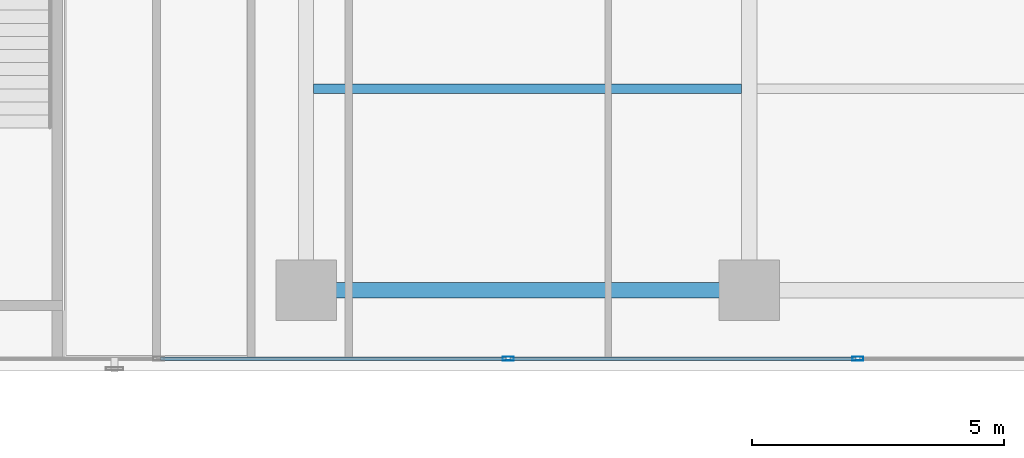
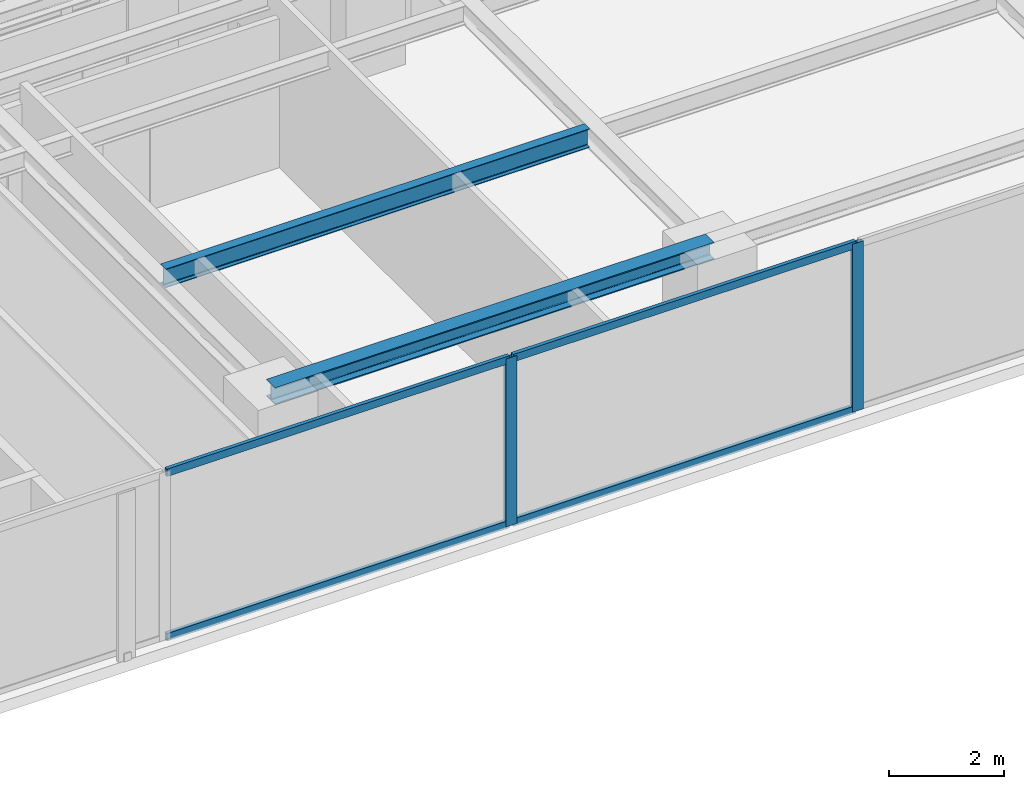
# One storey, part 10 of 24: 6 members, 2 beams, 1 element without a shape of its own.
"""IFC4 building model written with IfcOpenShell, lengths in metres."""

from ifc_helpers import new_model, si_unit, direction, frame, origin, origin_with_axes, origin_2d, place, context, subcontext, project, spatial, hollow_rectangle, i_section, extrude, source, transform, mapped, material, layer, layer_set, material_profile, profile_set, type_object, element, aggregate, save


model = new_model("IFC4")

# Units and contexts
model_context = context("Model", 3, precision=1e-05, world=origin(), true_north=direction((0.0, 1.0)))
body_context = subcontext(model_context, "Body", "Model", "MODEL_VIEW")
ifc_project = project(units=[si_unit("LENGTHUNIT", "METRE"), si_unit("AREAUNIT", "SQUARE_METRE"), si_unit("VOLUMEUNIT", "CUBIC_METRE"), si_unit("PLANEANGLEUNIT", "RADIAN"), si_unit("MASSUNIT", "GRAM", prefix="KILO")], contexts=[model_context])

# Site, building, storey
site_placement = place(None, origin())
site = spatial("IfcSite", under=ifc_project, at=site_placement, CompositionType="ELEMENT")
building_placement = place(site_placement, origin())
building = spatial("IfcBuilding", under=site, at=building_placement, Name="Kolvaren Waterfront Exchange", CompositionType="ELEMENT")
storey_placement = place(building_placement, frame((0.0, 0.0, 184.199951171875)))
storey = spatial("IfcBuildingStorey", under=building, at=storey_placement, Name="L47", CompositionType="ELEMENT", Elevation=184.199951171875)

# Beams
ifc_material_1 = material(Name="Steel S355", Category="steel")
ifc_material_profile_1 = material_profile(ifc_material_1, i_section(OverallWidth=0.300048828125, OverallDepth=0.360107421875, WebThickness=0.012451171875, FlangeThickness=0.0224609375, FilletRadius=0.027099609375, at=origin_2d()), Name="HEB360")
ifc_profile_set_1 = profile_set([ifc_material_profile_1], Name="Steel S355")
beam_type_1 = type_object("IfcBeamType", Name="STR-BM-HEB360", PredefinedType="SPANDREL", material=ifc_profile_set_1)
beam_1_placement = place(storey_placement, frame((36.800048828125, 5.199951171875, 3.380126953125), z_axis=(1.0, 0.0, 0.0), x_axis=(0.0, 1.0, 0.0)))
element("IfcBeam", 1, at=beam_1_placement, inside=storey, type_object=beam_type_1, Name="L47 east-arm spandrel S3", PredefinedType="SPANDREL", context=body_context, shape_type="SweptSolid", body=[
    extrude(i_section(OverallWidth=0.300048828125, OverallDepth=0.360107421875, WebThickness=0.012451171875, FlangeThickness=0.0224609375, FilletRadius=0.027099609375, at=origin_2d()), origin(), (0.0, 0.0, 1.0), 8.800048828125),
])
ifc_material_profile_2 = material_profile(ifc_material_1, i_section(OverallWidth=0.179931640625, OverallDepth=0.39990234375, WebThickness=0.008544921875, FlangeThickness=0.013427734375, FilletRadius=0.02099609375, at=origin_2d()), Name="IPE400")
ifc_profile_set_2 = profile_set([ifc_material_profile_2], Name="Steel S355")
beam_type_2 = type_object("IfcBeamType", Name="STR-BM-IPE400", PredefinedType="JOIST", material=ifc_profile_set_2)
beam_2_placement = place(storey_placement, frame((36.951904296875, 9.199951171875, 3.360107421875), z_axis=(1.0, 0.0, 0.0), x_axis=(0.0, 1.0, 0.0)))
element("IfcBeam", 2, at=beam_2_placement, inside=storey, type_object=beam_type_2, Name="L47 east-arm composite joist 3B", PredefinedType="JOIST", context=body_context, shape_type="SweptSolid", body=[
    extrude(i_section(OverallWidth=0.179931640625, OverallDepth=0.39990234375, WebThickness=0.008544921875, FlangeThickness=0.013427734375, FilletRadius=0.02099609375, at=origin_2d()), origin(), (0.0, 0.0, 1.0), 8.49609375),
])

# Curtain wall, members
ifc_material_2 = material(Name="Anodised bronze aluminium 6063-T6", Category="aluminium")
ifc_layer = layer(ifc_material_2, 0.219970703125, Name="Anodised bronze aluminium 6063-T6")
ifc_layer_set = layer_set([ifc_layer], Name="Anodised bronze aluminium 6063-T6")
curtain_wall_type = type_object("IfcCurtainWallType", Name="ARC-CW-SYS1", PredefinedType="USERDEFINED", material=ifc_layer_set)
curtain_wall_placement = place(storey_placement, origin())
curtain_wall = element("IfcCurtainWall", 3, at=curtain_wall_placement, inside=storey, type_object=curtain_wall_type, Name="L47 stick curtain wall CW1 (CW-L47-S)", ObjectType="STICK CURTAIN WALL", PredefinedType="USERDEFINED")
ifc_material_3 = material(Name="Anodised aluminium 6063-T6", Category="aluminium")
ifc_material_profile_3 = material_profile(ifc_material_3, hollow_rectangle(XDim=0.080078125, YDim=0.219970703125, WallThickness=0.0048828125, at=origin_2d()), Name="ALU-MUL-220x80x5")
ifc_profile_set_3 = profile_set([ifc_material_profile_3], Name="Anodised aluminium 6063-T6")
member_type_1 = type_object("IfcMemberType", Name="ARC-CWM-220", PredefinedType="MULLION", material=ifc_profile_set_3)
shared_shape_1 = source(origin_with_axes(), body_context, "Body", "SweptSolid", [
    extrude(hollow_rectangle(XDim=0.080078125, YDim=0.219970703125, WallThickness=0.0048828125, at=origin_2d()), origin(), (0.0, 0.0, 1.0), 3.56005859375),
])
member_1_placement = place(storey_placement, frame((40.814208984375, 3.840087890625, 0.0), z_axis=(0.0, 0.0, 1.0), x_axis=(0.0, 1.0, 0.0)))
member_1 = element("IfcMember", 4, at=member_1_placement, type_object=member_type_1, Name="CW1 mullion 6", PredefinedType="MULLION", context=body_context, shape_type="MappedRepresentation", body=[
    mapped(shared_shape_1, transform((0.0, 0.0, 0.0), x_axis=(1.0, 0.0, 0.0), y_axis=(0.0, 1.0, 0.0), z_axis=(0.0, 0.0, 1.0), scale=1.0)),
])
member_2_placement = place(storey_placement, frame((47.757080078125, 3.840087890625, 0.0), z_axis=(0.0, 0.0, 1.0), x_axis=(0.0, 1.0, 0.0)))
member_2 = element("IfcMember", 5, at=member_2_placement, type_object=member_type_1, Name="CW1 mullion 7", PredefinedType="MULLION", context=body_context, shape_type="MappedRepresentation", body=[
    mapped(shared_shape_1, transform((0.0, 0.0, 0.0), x_axis=(1.0, 0.0, 0.0), y_axis=(0.0, 1.0, 0.0), z_axis=(0.0, 0.0, 1.0), scale=1.0)),
])
ifc_material_profile_4 = material_profile(ifc_material_3, hollow_rectangle(XDim=0.074951171875, YDim=0.159912109375, WallThickness=0.00439453125, at=origin_2d()), Name="ALU-TRN-160x75x4.5")
ifc_profile_set_4 = profile_set([ifc_material_profile_4], Name="Anodised aluminium 6063-T6")
member_type_2 = type_object("IfcMemberType", Name="ARC-CWT-160", PredefinedType="USERDEFINED", material=ifc_profile_set_4)
shared_shape_2 = source(origin_with_axes(), body_context, "Body", "SweptSolid", [
    extrude(hollow_rectangle(XDim=0.074951171875, YDim=0.159912109375, WallThickness=0.00439453125, at=origin_2d()), origin(), (0.0, 0.0, 1.0), 6.86279296875),
])
member_3_placement = place(storey_placement, frame((33.911376953125, 3.840087890625, 0.03759765625), z_axis=(1.0, 0.0, 0.0), x_axis=(0.0, 1.0, 0.0)))
member_3 = element("IfcMember", 6, at=member_3_placement, type_object=member_type_2, Name="CW1 transom 5.1", ObjectType="TRANSOM", PredefinedType="USERDEFINED", context=body_context, shape_type="MappedRepresentation", body=[
    mapped(shared_shape_2, transform((0.0, 0.0, 0.0), x_axis=(1.0, 0.0, 0.0), y_axis=(0.0, 1.0, 0.0), z_axis=(0.0, 0.0, 1.0), scale=1.0)),
])
member_4_placement = place(storey_placement, frame((33.911376953125, 3.840087890625, 3.5224609375), z_axis=(1.0, 0.0, 0.0), x_axis=(0.0, 1.0, 0.0)))
member_4 = element("IfcMember", 7, at=member_4_placement, type_object=member_type_2, Name="CW1 transom 5.2", ObjectType="TRANSOM", PredefinedType="USERDEFINED", context=body_context, shape_type="MappedRepresentation", body=[
    mapped(shared_shape_2, transform((0.0, 0.0, 0.0), x_axis=(1.0, 0.0, 0.0), y_axis=(0.0, 1.0, 0.0), z_axis=(0.0, 0.0, 1.0), scale=1.0)),
])
member_5_placement = place(storey_placement, frame((40.854248046875, 3.840087890625, 0.03759765625), z_axis=(1.0, 0.0, 0.0), x_axis=(0.0, 1.0, 0.0)))
member_5 = element("IfcMember", 8, at=member_5_placement, type_object=member_type_2, Name="CW1 transom 6.1", ObjectType="TRANSOM", PredefinedType="USERDEFINED", context=body_context, shape_type="MappedRepresentation", body=[
    mapped(shared_shape_2, transform((0.0, 0.0, 0.0), x_axis=(1.0, 0.0, 0.0), y_axis=(0.0, 1.0, 0.0), z_axis=(0.0, 0.0, 1.0), scale=1.0)),
])
member_6_placement = place(storey_placement, frame((40.854248046875, 3.840087890625, 3.5224609375), z_axis=(1.0, 0.0, 0.0), x_axis=(0.0, 1.0, 0.0)))
member_6 = element("IfcMember", 9, at=member_6_placement, type_object=member_type_2, Name="CW1 transom 6.2", ObjectType="TRANSOM", PredefinedType="USERDEFINED", context=body_context, shape_type="MappedRepresentation", body=[
    mapped(shared_shape_2, transform((0.0, 0.0, 0.0), x_axis=(1.0, 0.0, 0.0), y_axis=(0.0, 1.0, 0.0), z_axis=(0.0, 0.0, 1.0), scale=1.0)),
])
aggregate(curtain_wall, [member_1, member_2, member_3, member_4, member_5, member_6])

save(model, "model.ifc")
